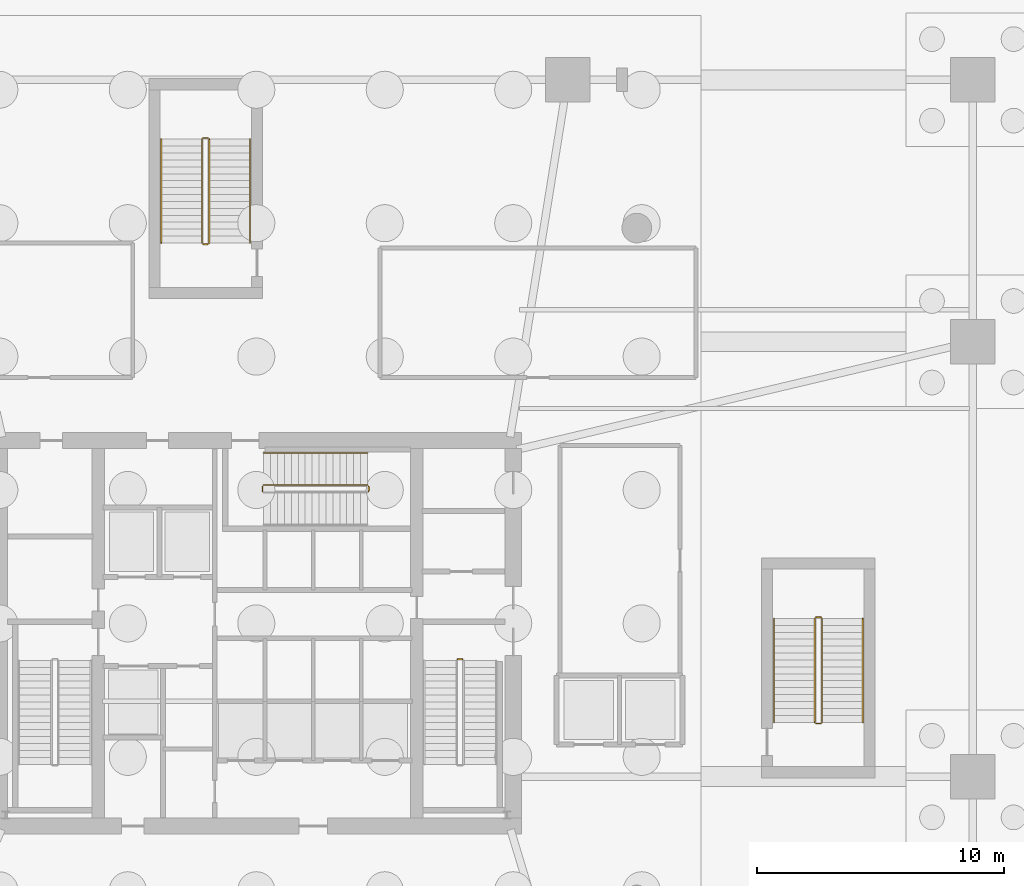
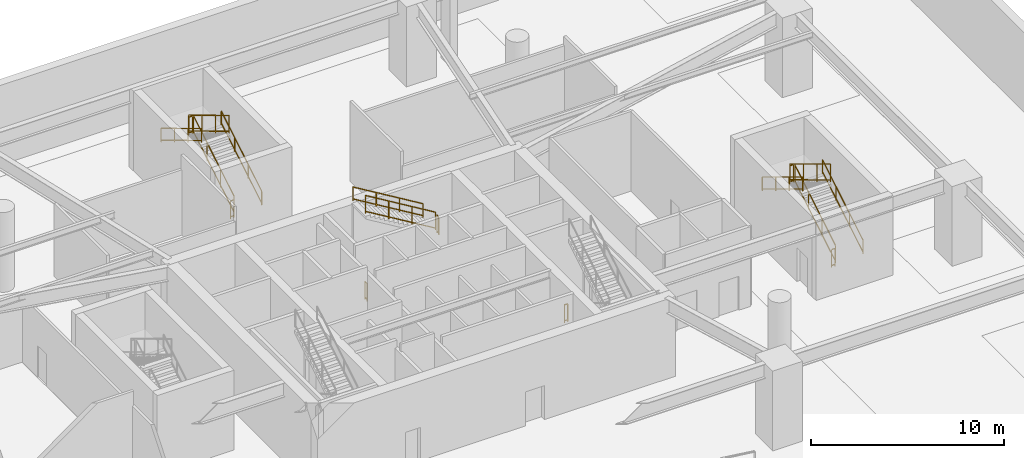
# One storey, part 10 of 11: 17 railings.
"""IFC4 building model written with IfcOpenShell, lengths in metres."""

from ifc_helpers import new_model, si_unit, direction, frame, origin, origin_2d, place, context, subcontext, project, spatial, rectangle, extrude, material, type_object, element, save


model = new_model("IFC4")

# Units and contexts
model_context = context("Model", 3, precision=1e-05, world=origin(), true_north=direction((0.0, 1.0)))
body_context = subcontext(model_context, "Body", "Model", "MODEL_VIEW")
ifc_project = project(units=[si_unit("LENGTHUNIT", "METRE"), si_unit("AREAUNIT", "SQUARE_METRE"), si_unit("VOLUMEUNIT", "CUBIC_METRE"), si_unit("PLANEANGLEUNIT", "RADIAN"), si_unit("MASSUNIT", "GRAM", prefix="KILO")], contexts=[model_context])

# Site, building, storey
site_placement = place(None, origin())
site = spatial("IfcSite", under=ifc_project, at=site_placement, CompositionType="ELEMENT")
building_placement = place(site_placement, origin())
building = spatial("IfcBuilding", under=site, at=building_placement, Name="Qarnah Convention Tower", CompositionType="ELEMENT")
storey_placement = place(building_placement, frame((0.0, 0.0, -5.39990234375)))
storey = spatial("IfcBuildingStorey", under=building, at=storey_placement, Name="B1", CompositionType="ELEMENT", Elevation=-5.39990234375)

# Railings
ifc_material = material(Name="Structural steel S355JR", Category="steel")
railing_type_1 = type_object("IfcRailingType", Name="RL-STAIR-GUARD-1150", PredefinedType="GUARDRAIL", material=ifc_material)
railing_1_placement = place(storey_placement, frame((45.35009765625, 25.35009765625, 0.0)))
element("IfcRailing", 1, at=railing_1_placement, inside=storey, type_object=railing_type_1, Name="B1 ST-2 stair guard 4", PredefinedType="GUARDRAIL", context=body_context, shape_type="SweptSolid", body=[
    extrude(rectangle(XDim=0.048095703125, YDim=0.048095703125, at=origin_2d()), frame((0.0, 0.0, 1.1259765625), z_axis=(1.0, 0.0, 0.0), x_axis=(0.0, 1.0, 0.0)), (0.0, 0.0, 1.0), 0.199951171875),
    extrude(rectangle(XDim=0.048095703125, YDim=0.048095703125, at=origin_2d()), frame((0.0, 0.0, 0.1201171875), z_axis=(1.0, 0.0, 0.0), x_axis=(0.0, 1.0, 0.0)), (0.0, 0.0, 1.0), 0.199951171875),
    extrude(rectangle(XDim=0.0419921875, YDim=0.0419921875, at=origin_2d()), origin(), (0.0, 0.0, 1.0), 1.101806640625),
    extrude(rectangle(XDim=0.0419921875, YDim=0.0419921875, at=origin_2d()), frame((0.199951171875, 0.0, 0.0)), (0.0, 0.0, 1.0), 1.101806640625),
])
railing_2_placement = place(storey_placement, frame((41.75, 32.14990234375, 2.699951171875)))
element("IfcRailing", 2, at=railing_2_placement, inside=storey, type_object=railing_type_1, Name="B1 ST-3 stair guard 2", PredefinedType="GUARDRAIL", context=body_context, shape_type="SweptSolid", body=[
    extrude(rectangle(XDim=0.048095703125, YDim=0.048095703125, at=origin_2d()), frame((0.0, 0.0, 1.1259765625), z_axis=(0.0, 1.0, 0.0), x_axis=(-1.0, 0.0, 0.0)), (0.0, 0.0, 1.0), 0.2001953125),
    extrude(rectangle(XDim=0.048095703125, YDim=0.048095703125, at=origin_2d()), frame((0.0, 0.0, 0.1201171875), z_axis=(0.0, 1.0, 0.0), x_axis=(-1.0, 0.0, 0.0)), (0.0, 0.0, 1.0), 0.2001953125),
    extrude(rectangle(XDim=0.0419921875, YDim=0.0419921875, at=origin_2d()), origin(), (0.0, 0.0, 1.0), 1.101806640625),
    extrude(rectangle(XDim=0.0419921875, YDim=0.0419921875, at=origin_2d()), frame((0.0, 0.2001953125, 0.0)), (0.0, 0.0, 1.0), 1.101806640625),
])
railing_3_placement = place(storey_placement, frame((41.699951171875, 32.39990234375, 2.86865234375)))
element("IfcRailing", 3, at=railing_3_placement, inside=storey, type_object=railing_type_1, Name="B1 ST-3 stair guard 3", PredefinedType="GUARDRAIL", context=body_context, shape_type="SweptSolid", body=[
    extrude(rectangle(XDim=0.048095703125, YDim=0.048095703125, at=origin_2d()), frame((0.0, 0.0, 1.1259765625), z_axis=(-0.856476492594, 0.0, 0.516186030065), x_axis=(0.0, -1.0, 0.0)), (0.0, 0.0, 1.0), 4.90380859375),
    extrude(rectangle(XDim=0.048095703125, YDim=0.048095703125, at=origin_2d()), frame((0.0, 0.0, 0.1201171875), z_axis=(-0.856476492594, 0.0, 0.516186030065), x_axis=(0.0, -1.0, 0.0)), (0.0, 0.0, 1.0), 4.90380859375),
    extrude(rectangle(XDim=0.0419921875, YDim=0.0419921875, at=origin_2d()), origin(), (0.0, 0.0, 1.0), 1.101806640625),
    extrude(rectangle(XDim=0.0419921875, YDim=0.0419921875, at=origin_2d()), frame((-1.39990234375, 0.0, 0.84375)), (0.0, 0.0, 1.0), 1.101806640625),
    extrude(rectangle(XDim=0.0419921875, YDim=0.0419921875, at=origin_2d()), frame((-2.800048828125, 0.0, 1.6875)), (0.0, 0.0, 1.0), 1.101806640625),
    extrude(rectangle(XDim=0.0419921875, YDim=0.0419921875, at=origin_2d()), frame((-4.199951171875, 0.0, 2.53125)), (0.0, 0.0, 1.0), 1.101806640625),
])
railing_4_placement = place(storey_placement, frame((37.449951171875, 32.14990234375, 0.0)))
element("IfcRailing", 4, at=railing_4_placement, inside=storey, type_object=railing_type_1, Name="B1 ST-3 stair guard 4", PredefinedType="GUARDRAIL", context=body_context, shape_type="SweptSolid", body=[
    extrude(rectangle(XDim=0.048095703125, YDim=0.048095703125, at=origin_2d()), frame((0.0, 0.0, 1.1259765625), z_axis=(0.0, 1.0, 0.0), x_axis=(-1.0, 0.0, 0.0)), (0.0, 0.0, 1.0), 0.2001953125),
    extrude(rectangle(XDim=0.048095703125, YDim=0.048095703125, at=origin_2d()), frame((0.0, 0.0, 0.1201171875), z_axis=(0.0, 1.0, 0.0), x_axis=(-1.0, 0.0, 0.0)), (0.0, 0.0, 1.0), 0.2001953125),
    extrude(rectangle(XDim=0.0419921875, YDim=0.0419921875, at=origin_2d()), origin(), (0.0, 0.0, 1.0), 1.101806640625),
    extrude(rectangle(XDim=0.0419921875, YDim=0.0419921875, at=origin_2d()), frame((0.0, 0.2001953125, 0.0)), (0.0, 0.0, 1.0), 1.101806640625),
])
railing_5_placement = place(storey_placement, frame((60.10009765625, 22.800048828125, 0.168701171875)))
element("IfcRailing", 5, at=railing_5_placement, inside=storey, type_object=railing_type_1, Name="B1 ST-4 stair guard 1", PredefinedType="GUARDRAIL", context=body_context, shape_type="SweptSolid", body=[
    extrude(rectangle(XDim=0.048095703125, YDim=0.048095703125, at=origin_2d()), frame((0.0, 0.0, 1.1259765625), z_axis=(0.0, 0.856476492594, 0.516186030065), x_axis=(-1.0, 0.0, 0.0)), (0.0, 0.0, 1.0), 4.90380859375),
    extrude(rectangle(XDim=0.048095703125, YDim=0.048095703125, at=origin_2d()), frame((0.0, 0.0, 0.1201171875), z_axis=(0.0, 0.856476492594, 0.516186030065), x_axis=(-1.0, 0.0, 0.0)), (0.0, 0.0, 1.0), 4.90380859375),
    extrude(rectangle(XDim=0.0419921875, YDim=0.0419921875, at=origin_2d()), origin(), (0.0, 0.0, 1.0), 1.101806640625),
    extrude(rectangle(XDim=0.0419921875, YDim=0.0419921875, at=origin_2d()), frame((0.0, 1.39990234375, 0.84375)), (0.0, 0.0, 1.0), 1.101806640625),
    extrude(rectangle(XDim=0.0419921875, YDim=0.0419921875, at=origin_2d()), frame((0.0, 2.800048828125, 1.6875)), (0.0, 0.0, 1.0), 1.101806640625),
    extrude(rectangle(XDim=0.0419921875, YDim=0.0419921875, at=origin_2d()), frame((0.0, 4.199951171875, 2.53125)), (0.0, 0.0, 1.0), 1.101806640625),
])
railing_6_placement = place(storey_placement, frame((60.050048828125, 27.050048828125, 2.699951171875)))
element("IfcRailing", 6, at=railing_6_placement, inside=storey, type_object=railing_type_1, Name="B1 ST-4 stair guard 2", PredefinedType="GUARDRAIL", context=body_context, shape_type="SweptSolid", body=[
    extrude(rectangle(XDim=0.048095703125, YDim=0.048095703125, at=origin_2d()), frame((0.0, 0.0, 1.1259765625), z_axis=(-1.0, 0.0, 0.0), x_axis=(0.0, -1.0, 0.0)), (0.0, 0.0, 1.0), 0.199951171875),
    extrude(rectangle(XDim=0.048095703125, YDim=0.048095703125, at=origin_2d()), frame((0.0, 0.0, 0.1201171875), z_axis=(-1.0, 0.0, 0.0), x_axis=(0.0, -1.0, 0.0)), (0.0, 0.0, 1.0), 0.199951171875),
    extrude(rectangle(XDim=0.0419921875, YDim=0.0419921875, at=origin_2d()), origin(), (0.0, 0.0, 1.0), 1.101806640625),
    extrude(rectangle(XDim=0.0419921875, YDim=0.0419921875, at=origin_2d()), frame((-0.199951171875, 0.0, 0.0)), (0.0, 0.0, 1.0), 1.101806640625),
])
railing_7_placement = place(storey_placement, frame((59.800048828125, 27.0, 2.86865234375)))
element("IfcRailing", 7, at=railing_7_placement, inside=storey, type_object=railing_type_1, Name="B1 ST-4 stair guard 3", PredefinedType="GUARDRAIL", context=body_context, shape_type="SweptSolid", body=[
    extrude(rectangle(XDim=0.048095703125, YDim=0.048095703125, at=origin_2d()), frame((0.0, 0.0, 1.1259765625), z_axis=(0.0, -0.856476492594, 0.516186030065), x_axis=(1.0, 0.0, 0.0)), (0.0, 0.0, 1.0), 4.90380859375),
    extrude(rectangle(XDim=0.048095703125, YDim=0.048095703125, at=origin_2d()), frame((0.0, 0.0, 0.1201171875), z_axis=(0.0, -0.856476492594, 0.516186030065), x_axis=(1.0, 0.0, 0.0)), (0.0, 0.0, 1.0), 4.90380859375),
    extrude(rectangle(XDim=0.0419921875, YDim=0.0419921875, at=origin_2d()), origin(), (0.0, 0.0, 1.0), 1.101806640625),
    extrude(rectangle(XDim=0.0419921875, YDim=0.0419921875, at=origin_2d()), frame((0.0, -1.39990234375, 0.84375)), (0.0, 0.0, 1.0), 1.101806640625),
    extrude(rectangle(XDim=0.0419921875, YDim=0.0419921875, at=origin_2d()), frame((0.0, -2.800048828125, 1.6875)), (0.0, 0.0, 1.0), 1.101806640625),
    extrude(rectangle(XDim=0.0419921875, YDim=0.0419921875, at=origin_2d()), frame((0.0, -4.199951171875, 2.53125)), (0.0, 0.0, 1.0), 1.101806640625),
])
railing_8_placement = place(storey_placement, frame((60.050048828125, 22.75, 0.0)))
element("IfcRailing", 8, at=railing_8_placement, inside=storey, type_object=railing_type_1, Name="B1 ST-4 stair guard 4", PredefinedType="GUARDRAIL", context=body_context, shape_type="SweptSolid", body=[
    extrude(rectangle(XDim=0.048095703125, YDim=0.048095703125, at=origin_2d()), frame((0.0, 0.0, 1.1259765625), z_axis=(-1.0, 0.0, 0.0), x_axis=(0.0, -1.0, 0.0)), (0.0, 0.0, 1.0), 0.199951171875),
    extrude(rectangle(XDim=0.048095703125, YDim=0.048095703125, at=origin_2d()), frame((0.0, 0.0, 0.1201171875), z_axis=(-1.0, 0.0, 0.0), x_axis=(0.0, -1.0, 0.0)), (0.0, 0.0, 1.0), 0.199951171875),
    extrude(rectangle(XDim=0.0419921875, YDim=0.0419921875, at=origin_2d()), origin(), (0.0, 0.0, 1.0), 1.101806640625),
    extrude(rectangle(XDim=0.0419921875, YDim=0.0419921875, at=origin_2d()), frame((-0.199951171875, 0.0, 0.0)), (0.0, 0.0, 1.0), 1.101806640625),
])
railing_9_placement = place(storey_placement, frame((35.300048828125, 42.199951171875, 0.168701171875)))
element("IfcRailing", 9, at=railing_9_placement, inside=storey, type_object=railing_type_1, Name="B1 ST-6 stair guard 1", PredefinedType="GUARDRAIL", context=body_context, shape_type="SweptSolid", body=[
    extrude(rectangle(XDim=0.048095703125, YDim=0.048095703125, at=origin_2d()), frame((0.0, 0.0, 1.1259765625), z_axis=(0.0, 0.856476492594, 0.516186030065), x_axis=(-1.0, 0.0, 0.0)), (0.0, 0.0, 1.0), 4.90380859375),
    extrude(rectangle(XDim=0.048095703125, YDim=0.048095703125, at=origin_2d()), frame((0.0, 0.0, 0.1201171875), z_axis=(0.0, 0.856476492594, 0.516186030065), x_axis=(-1.0, 0.0, 0.0)), (0.0, 0.0, 1.0), 4.90380859375),
    extrude(rectangle(XDim=0.0419921875, YDim=0.0419921875, at=origin_2d()), origin(), (0.0, 0.0, 1.0), 1.101806640625),
    extrude(rectangle(XDim=0.0419921875, YDim=0.0419921875, at=origin_2d()), frame((0.0, 1.39990234375, 0.84375)), (0.0, 0.0, 1.0), 1.101806640625),
    extrude(rectangle(XDim=0.0419921875, YDim=0.0419921875, at=origin_2d()), frame((0.0, 2.800048828125, 1.6875)), (0.0, 0.0, 1.0), 1.101806640625),
    extrude(rectangle(XDim=0.0419921875, YDim=0.0419921875, at=origin_2d()), frame((0.0, 4.199951171875, 2.53125)), (0.0, 0.0, 1.0), 1.101806640625),
])
railing_10_placement = place(storey_placement, frame((35.25, 46.449951171875, 2.699951171875)))
element("IfcRailing", 10, at=railing_10_placement, inside=storey, type_object=railing_type_1, Name="B1 ST-6 stair guard 2", PredefinedType="GUARDRAIL", context=body_context, shape_type="SweptSolid", body=[
    extrude(rectangle(XDim=0.048095703125, YDim=0.048095703125, at=origin_2d()), frame((0.0, 0.0, 1.1259765625), z_axis=(-1.0, 0.0, 0.0), x_axis=(0.0, -1.0, 0.0)), (0.0, 0.0, 1.0), 0.199951171875),
    extrude(rectangle(XDim=0.048095703125, YDim=0.048095703125, at=origin_2d()), frame((0.0, 0.0, 0.1201171875), z_axis=(-1.0, 0.0, 0.0), x_axis=(0.0, -1.0, 0.0)), (0.0, 0.0, 1.0), 0.199951171875),
    extrude(rectangle(XDim=0.0419921875, YDim=0.0419921875, at=origin_2d()), origin(), (0.0, 0.0, 1.0), 1.101806640625),
    extrude(rectangle(XDim=0.0419921875, YDim=0.0419921875, at=origin_2d()), frame((-0.199951171875, 0.0, 0.0)), (0.0, 0.0, 1.0), 1.101806640625),
])
railing_11_placement = place(storey_placement, frame((35.0, 46.39990234375, 2.86865234375)))
element("IfcRailing", 11, at=railing_11_placement, inside=storey, type_object=railing_type_1, Name="B1 ST-6 stair guard 3", PredefinedType="GUARDRAIL", context=body_context, shape_type="SweptSolid", body=[
    extrude(rectangle(XDim=0.048095703125, YDim=0.048095703125, at=origin_2d()), frame((0.0, 0.0, 1.1259765625), z_axis=(0.0, -0.856476492594, 0.516186030065), x_axis=(1.0, 0.0, 0.0)), (0.0, 0.0, 1.0), 4.90380859375),
    extrude(rectangle(XDim=0.048095703125, YDim=0.048095703125, at=origin_2d()), frame((0.0, 0.0, 0.1201171875), z_axis=(0.0, -0.856476492594, 0.516186030065), x_axis=(1.0, 0.0, 0.0)), (0.0, 0.0, 1.0), 4.90380859375),
    extrude(rectangle(XDim=0.0419921875, YDim=0.0419921875, at=origin_2d()), origin(), (0.0, 0.0, 1.0), 1.101806640625),
    extrude(rectangle(XDim=0.0419921875, YDim=0.0419921875, at=origin_2d()), frame((0.0, -1.39990234375, 0.84375)), (0.0, 0.0, 1.0), 1.101806640625),
    extrude(rectangle(XDim=0.0419921875, YDim=0.0419921875, at=origin_2d()), frame((0.0, -2.800048828125, 1.6875)), (0.0, 0.0, 1.0), 1.101806640625),
    extrude(rectangle(XDim=0.0419921875, YDim=0.0419921875, at=origin_2d()), frame((0.0, -4.199951171875, 2.53125)), (0.0, 0.0, 1.0), 1.101806640625),
])
railing_12_placement = place(storey_placement, frame((35.25, 42.14990234375, 0.0)))
element("IfcRailing", 12, at=railing_12_placement, inside=storey, type_object=railing_type_1, Name="B1 ST-6 stair guard 4", PredefinedType="GUARDRAIL", context=body_context, shape_type="SweptSolid", body=[
    extrude(rectangle(XDim=0.048095703125, YDim=0.048095703125, at=origin_2d()), frame((0.0, 0.0, 1.1259765625), z_axis=(-1.0, 0.0, 0.0), x_axis=(0.0, -1.0, 0.0)), (0.0, 0.0, 1.0), 0.199951171875),
    extrude(rectangle(XDim=0.048095703125, YDim=0.048095703125, at=origin_2d()), frame((0.0, 0.0, 0.1201171875), z_axis=(-1.0, 0.0, 0.0), x_axis=(0.0, -1.0, 0.0)), (0.0, 0.0, 1.0), 0.199951171875),
    extrude(rectangle(XDim=0.0419921875, YDim=0.0419921875, at=origin_2d()), origin(), (0.0, 0.0, 1.0), 1.101806640625),
    extrude(rectangle(XDim=0.0419921875, YDim=0.0419921875, at=origin_2d()), frame((-0.199951171875, 0.0, 0.0)), (0.0, 0.0, 1.0), 1.101806640625),
])
railing_type_2 = type_object("IfcRailingType", Name="RL-STAIR-HAND-900", PredefinedType="HANDRAIL", material=ifc_material)
railing_13_placement = place(storey_placement, frame((41.699951171875, 33.699951171875, 2.86865234375)))
element("IfcRailing", 13, at=railing_13_placement, inside=storey, type_object=railing_type_2, Name="B1 ST-3 stair handrail 2", PredefinedType="HANDRAIL", context=body_context, shape_type="SweptSolid", body=[
    extrude(rectangle(XDim=0.048095703125, YDim=0.048095703125, at=origin_2d()), frame((0.0, 0.0, 0.8759765625), z_axis=(-0.856476492594, 0.0, 0.516186030065), x_axis=(0.0, -1.0, 0.0)), (0.0, 0.0, 1.0), 4.90380859375),
    extrude(rectangle(XDim=0.048095703125, YDim=0.048095703125, at=origin_2d()), frame((0.0, 0.0, 0.1201171875), z_axis=(-0.856476492594, 0.0, 0.516186030065), x_axis=(0.0, -1.0, 0.0)), (0.0, 0.0, 1.0), 4.90380859375),
    extrude(rectangle(XDim=0.0419921875, YDim=0.0419921875, at=origin_2d()), origin(), (0.0, 0.0, 1.0), 0.851806640625),
    extrude(rectangle(XDim=0.0419921875, YDim=0.0419921875, at=origin_2d()), frame((-1.39990234375, 0.0, 0.84375)), (0.0, 0.0, 1.0), 0.851806640625),
    extrude(rectangle(XDim=0.0419921875, YDim=0.0419921875, at=origin_2d()), frame((-2.800048828125, 0.0, 1.6875)), (0.0, 0.0, 1.0), 0.851806640625),
    extrude(rectangle(XDim=0.0419921875, YDim=0.0419921875, at=origin_2d()), frame((-4.199951171875, 0.0, 2.53125)), (0.0, 0.0, 1.0), 0.851806640625),
])
railing_14_placement = place(storey_placement, frame((61.75, 22.800048828125, 0.168701171875)))
element("IfcRailing", 14, at=railing_14_placement, inside=storey, type_object=railing_type_2, Name="B1 ST-4 stair handrail 1", PredefinedType="HANDRAIL", context=body_context, shape_type="SweptSolid", body=[
    extrude(rectangle(XDim=0.048095703125, YDim=0.048095703125, at=origin_2d()), frame((0.0, 0.0, 0.8759765625), z_axis=(0.0, 0.856476492594, 0.516186030065), x_axis=(-1.0, 0.0, 0.0)), (0.0, 0.0, 1.0), 4.90380859375),
    extrude(rectangle(XDim=0.048095703125, YDim=0.048095703125, at=origin_2d()), frame((0.0, 0.0, 0.1201171875), z_axis=(0.0, 0.856476492594, 0.516186030065), x_axis=(-1.0, 0.0, 0.0)), (0.0, 0.0, 1.0), 4.90380859375),
    extrude(rectangle(XDim=0.0419921875, YDim=0.0419921875, at=origin_2d()), origin(), (0.0, 0.0, 1.0), 0.851806640625),
    extrude(rectangle(XDim=0.0419921875, YDim=0.0419921875, at=origin_2d()), frame((0.0, 1.39990234375, 0.84375)), (0.0, 0.0, 1.0), 0.851806640625),
    extrude(rectangle(XDim=0.0419921875, YDim=0.0419921875, at=origin_2d()), frame((0.0, 2.800048828125, 1.6875)), (0.0, 0.0, 1.0), 0.851806640625),
    extrude(rectangle(XDim=0.0419921875, YDim=0.0419921875, at=origin_2d()), frame((0.0, 4.199951171875, 2.53125)), (0.0, 0.0, 1.0), 0.851806640625),
])
railing_15_placement = place(storey_placement, frame((58.14990234375, 27.0, 2.86865234375)))
element("IfcRailing", 15, at=railing_15_placement, inside=storey, type_object=railing_type_2, Name="B1 ST-4 stair handrail 2", PredefinedType="HANDRAIL", context=body_context, shape_type="SweptSolid", body=[
    extrude(rectangle(XDim=0.048095703125, YDim=0.048095703125, at=origin_2d()), frame((0.0, 0.0, 0.8759765625), z_axis=(0.0, -0.856476492594, 0.516186030065), x_axis=(1.0, 0.0, 0.0)), (0.0, 0.0, 1.0), 4.90380859375),
    extrude(rectangle(XDim=0.048095703125, YDim=0.048095703125, at=origin_2d()), frame((0.0, 0.0, 0.1201171875), z_axis=(0.0, -0.856476492594, 0.516186030065), x_axis=(1.0, 0.0, 0.0)), (0.0, 0.0, 1.0), 4.90380859375),
    extrude(rectangle(XDim=0.0419921875, YDim=0.0419921875, at=origin_2d()), origin(), (0.0, 0.0, 1.0), 0.851806640625),
    extrude(rectangle(XDim=0.0419921875, YDim=0.0419921875, at=origin_2d()), frame((0.0, -1.39990234375, 0.84375)), (0.0, 0.0, 1.0), 0.851806640625),
    extrude(rectangle(XDim=0.0419921875, YDim=0.0419921875, at=origin_2d()), frame((0.0, -2.800048828125, 1.6875)), (0.0, 0.0, 1.0), 0.851806640625),
    extrude(rectangle(XDim=0.0419921875, YDim=0.0419921875, at=origin_2d()), frame((0.0, -4.199951171875, 2.53125)), (0.0, 0.0, 1.0), 0.851806640625),
])
railing_16_placement = place(storey_placement, frame((36.949951171875, 42.199951171875, 0.168701171875)))
element("IfcRailing", 16, at=railing_16_placement, inside=storey, type_object=railing_type_2, Name="B1 ST-6 stair handrail 1", PredefinedType="HANDRAIL", context=body_context, shape_type="SweptSolid", body=[
    extrude(rectangle(XDim=0.048095703125, YDim=0.048095703125, at=origin_2d()), frame((0.0, 0.0, 0.8759765625), z_axis=(0.0, 0.856476492594, 0.516186030065), x_axis=(-1.0, 0.0, 0.0)), (0.0, 0.0, 1.0), 4.90380859375),
    extrude(rectangle(XDim=0.048095703125, YDim=0.048095703125, at=origin_2d()), frame((0.0, 0.0, 0.1201171875), z_axis=(0.0, 0.856476492594, 0.516186030065), x_axis=(-1.0, 0.0, 0.0)), (0.0, 0.0, 1.0), 4.90380859375),
    extrude(rectangle(XDim=0.0419921875, YDim=0.0419921875, at=origin_2d()), origin(), (0.0, 0.0, 1.0), 0.851806640625),
    extrude(rectangle(XDim=0.0419921875, YDim=0.0419921875, at=origin_2d()), frame((0.0, 1.39990234375, 0.84375)), (0.0, 0.0, 1.0), 0.851806640625),
    extrude(rectangle(XDim=0.0419921875, YDim=0.0419921875, at=origin_2d()), frame((0.0, 2.800048828125, 1.6875)), (0.0, 0.0, 1.0), 0.851806640625),
    extrude(rectangle(XDim=0.0419921875, YDim=0.0419921875, at=origin_2d()), frame((0.0, 4.199951171875, 2.53125)), (0.0, 0.0, 1.0), 0.851806640625),
])
railing_17_placement = place(storey_placement, frame((33.35009765625, 46.39990234375, 2.86865234375)))
element("IfcRailing", 17, at=railing_17_placement, inside=storey, type_object=railing_type_2, Name="B1 ST-6 stair handrail 2", PredefinedType="HANDRAIL", context=body_context, shape_type="SweptSolid", body=[
    extrude(rectangle(XDim=0.048095703125, YDim=0.048095703125, at=origin_2d()), frame((0.0, 0.0, 0.8759765625), z_axis=(0.0, -0.856476492594, 0.516186030065), x_axis=(1.0, 0.0, 0.0)), (0.0, 0.0, 1.0), 4.90380859375),
    extrude(rectangle(XDim=0.048095703125, YDim=0.048095703125, at=origin_2d()), frame((0.0, 0.0, 0.1201171875), z_axis=(0.0, -0.856476492594, 0.516186030065), x_axis=(1.0, 0.0, 0.0)), (0.0, 0.0, 1.0), 4.90380859375),
    extrude(rectangle(XDim=0.0419921875, YDim=0.0419921875, at=origin_2d()), origin(), (0.0, 0.0, 1.0), 0.851806640625),
    extrude(rectangle(XDim=0.0419921875, YDim=0.0419921875, at=origin_2d()), frame((0.0, -1.39990234375, 0.84375)), (0.0, 0.0, 1.0), 0.851806640625),
    extrude(rectangle(XDim=0.0419921875, YDim=0.0419921875, at=origin_2d()), frame((0.0, -2.800048828125, 1.6875)), (0.0, 0.0, 1.0), 0.851806640625),
    extrude(rectangle(XDim=0.0419921875, YDim=0.0419921875, at=origin_2d()), frame((0.0, -4.199951171875, 2.53125)), (0.0, 0.0, 1.0), 0.851806640625),
])

save(model, "model.ifc")
